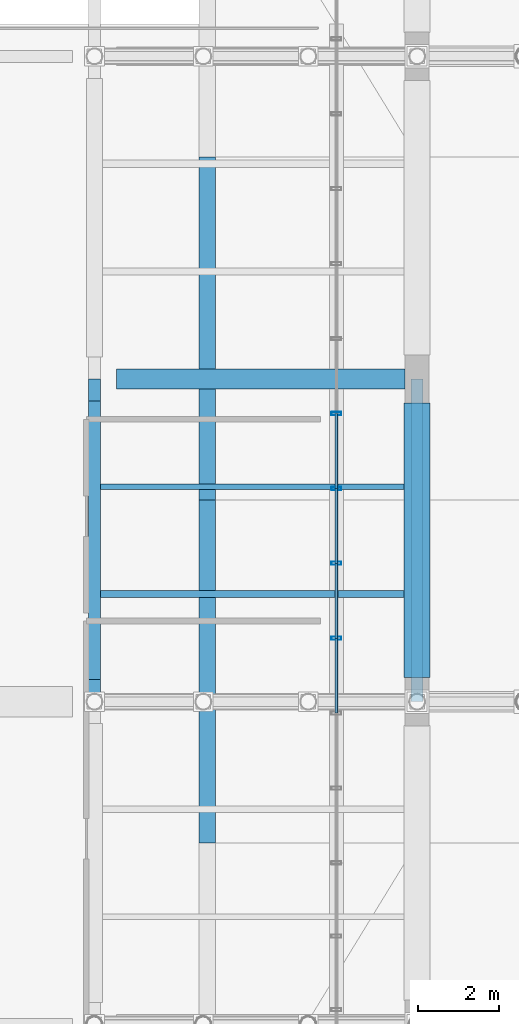
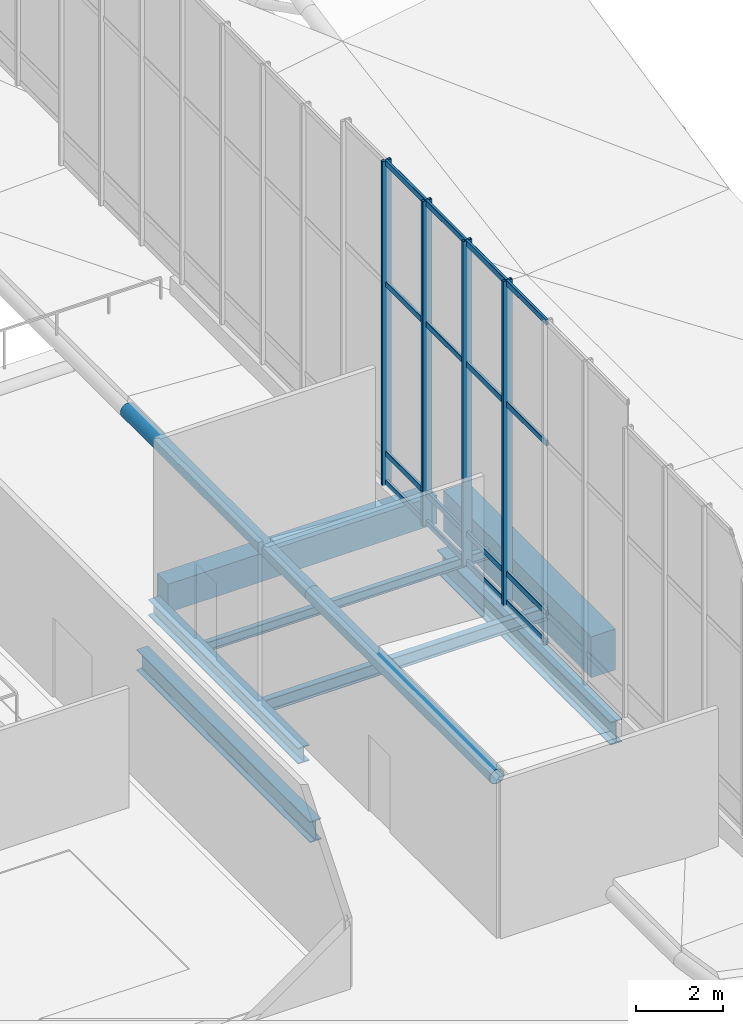
# One storey, part 82 of 137: 22 members, 7 beams, 1 element without a shape of its own.
"""IFC4 building model written with IfcOpenShell, lengths in metres."""

import ifcopenshell
import ifcopenshell.guid

model = None  # the IFC model being written
_history = None  # IfcOwnerHistory: only IFC2X3 demands one
_inside = {}  # id of a spatial element -> (the spatial element, [elements in it])
_under = {}  # id of a project, library or spatial element -> (it, [spatial elements below it])
_declared = {}  # id of a project -> (the project, [libraries it declares])
_typed = {}  # id of a type object -> (the type object, [elements of that type])
_made_of = {}  # id of a material, layer set ... -> (it, [elements and type objects made of it])


def new_model(schema):
    """Start an empty IFC model of exactly this schema.

    Asked for "IFC4X3", IfcOpenShell would pick the latest addendum, in which some entities
    have other attributes; the version numbers below select the first issue.
    IFC2X3 requires an IfcOwnerHistory on every rooted entity: one is made here for all.
    """
    global model, _history
    if schema == "IFC4X3":
        model = ifcopenshell.file(schema_version=(4, 3, 0, 0))
    else:
        model = ifcopenshell.file(schema=schema)
    _inside.clear()
    _under.clear()
    _declared.clear()
    _typed.clear()
    _made_of.clear()
    _history = None
    if model.schema == "IFC2X3":
        org = make("IfcOrganization", Name="unknown")
        user = make(
            "IfcPersonAndOrganization",
            ThePerson=make("IfcPerson", FamilyName="unknown"),
            TheOrganization=org,
        )
        app = make(
            "IfcApplication",
            ApplicationDeveloper=org,
            Version="unknown",
            ApplicationFullName="unknown",
            ApplicationIdentifier="unknown",
        )
        _history = make(
            "IfcOwnerHistory",
            OwningUser=user,
            OwningApplication=app,
            ChangeAction="ADDED",
            CreationDate=0,
        )
    return model


def make(cls, **values):
    """One entity of the class cls with the attributes given. An attribute that is None is left unset."""
    return model.create_entity(
        cls, **{name: value for name, value in values.items() if value is not None}
    )


def rooted(cls, **values):
    """An entity with a GlobalId (a new one), such as an element, a storey or a relation."""
    return make(cls, GlobalId=ifcopenshell.guid.new(), OwnerHistory=_history, **values)


def si_unit(unit_type, name, prefix=None):
    """IfcSIUnit, for example si_unit("LENGTHUNIT", "METRE", prefix="MILLI")."""
    return make("IfcSIUnit", UnitType=unit_type, Prefix=prefix, Name=name)


def assignment(units):
    """IfcUnitAssignment: the units of a project."""
    return None if units is None else make("IfcUnitAssignment", Units=units)


def point(xyz):
    """IfcCartesianPoint."""
    return None if xyz is None else make("IfcCartesianPoint", Coordinates=xyz)


def direction(xyz):
    """IfcDirection."""
    return None if xyz is None else make("IfcDirection", DirectionRatios=xyz)


def frame(location, z_axis=None, x_axis=None):
    """IfcAxis2Placement3D, a coordinate frame: its origin and axes. An axis left out is left unset."""
    return make(
        "IfcAxis2Placement3D",
        Location=point(location),
        Axis=direction(z_axis),
        RefDirection=direction(x_axis),
    )


def frame_2d(location, x_axis=None):
    """IfcAxis2Placement2D, a coordinate frame in the plane: its origin and x axis."""
    return make(
        "IfcAxis2Placement2D", Location=point(location), RefDirection=direction(x_axis)
    )


def origin():
    """The frame at (0, 0, 0) with its axes left unset."""
    return frame((0.0, 0.0, 0.0))


def origin_2d():
    """The frame at (0, 0) in the plane with its x axis left unset."""
    return frame_2d((0.0, 0.0))


def place(relative_to, where):
    """IfcLocalPlacement: puts the frame where relative to a parent placement (None: the world)."""
    return make(
        "IfcLocalPlacement", PlacementRelTo=relative_to, RelativePlacement=where
    )


def context(
    kind, dimensions, precision=None, world=None, true_north=None, identifier=None
):
    """IfcGeometricRepresentationContext, for example the 3D "Model" context."""
    return make(
        "IfcGeometricRepresentationContext",
        ContextIdentifier=identifier,
        ContextType=kind,
        CoordinateSpaceDimension=dimensions,
        Precision=precision,
        WorldCoordinateSystem=world,
        TrueNorth=true_north,
    )


def subcontext(parent, identifier, kind, view, scale=None):
    """IfcGeometricRepresentationSubContext, for example "Body" below "Model"."""
    return make(
        "IfcGeometricRepresentationSubContext",
        ContextIdentifier=identifier,
        ContextType=kind,
        ParentContext=parent,
        TargetScale=scale,
        TargetView=view,
    )


def project(units=None, contexts=None):
    """IfcProject with its units and contexts."""
    return rooted(
        "IfcProject",
        Name="project",
        RepresentationContexts=contexts,
        UnitsInContext=assignment(units),
    )


def spatial(cls, under=None, at=None, **own):
    """A site, building, storey or space (cls), placed at a placement, below another one or the project."""
    s = rooted(cls, ObjectPlacement=at, **own)
    if under is not None:
        _under.setdefault(under.id(), (under, []))[1].append(s)
    return s


def profile(cls, at=None, kind="AREA", **sizes):
    """A parametric profile (cls). Its sizes go by their IFC names, for example OverallWidth=200.0."""
    return make(cls, ProfileType=kind, Position=at, **sizes)


def rectangle(**sizes):
    """IfcRectangleProfileDef."""
    return profile("IfcRectangleProfileDef", **sizes)


def hollow_rectangle(**sizes):
    """IfcRectangleHollowProfileDef."""
    return profile("IfcRectangleHollowProfileDef", **sizes)


def hollow_circle(**sizes):
    """IfcCircleHollowProfileDef."""
    return profile("IfcCircleHollowProfileDef", **sizes)


def i_section(**sizes):
    """IfcIShapeProfileDef."""
    return profile("IfcIShapeProfileDef", **sizes)


def extrude(swept, where, along, depth):
    """IfcExtrudedAreaSolid: the profile swept, set in the frame where, extruded along a direction by depth."""
    return make(
        "IfcExtrudedAreaSolid",
        SweptArea=swept,
        Position=where,
        ExtrudedDirection=direction(along),
        Depth=depth,
    )


def shape(context_of_items, identifier, shape_type, items):
    """IfcShapeRepresentation: the items that make up one representation, for example the "Body"."""
    return make(
        "IfcShapeRepresentation",
        ContextOfItems=context_of_items,
        RepresentationIdentifier=identifier,
        RepresentationType=shape_type,
        Items=items,
    )


def material(Name=None, Category=None):
    """IfcMaterial."""
    return make("IfcMaterial", Name=Name, Category=Category)


def layer(
    of_material, thickness, ventilated=None, Name=None, Category=None, Priority=None
):
    """IfcMaterialLayer: one layer of a wall or slab, of a material (None: an air gap)."""
    return make(
        "IfcMaterialLayer",
        Material=of_material,
        LayerThickness=thickness,
        IsVentilated=ventilated,
        Name=Name,
        Category=Category,
        Priority=Priority,
    )


def layer_set(layers, Name=None):
    """IfcMaterialLayerSet."""
    return make("IfcMaterialLayerSet", MaterialLayers=layers, LayerSetName=Name)


def material_profile(
    of_material, cross_section, Name=None, Category=None, Priority=None
):
    """IfcMaterialProfile: a cross section and its material."""
    return make(
        "IfcMaterialProfile",
        Name=Name,
        Material=of_material,
        Profile=cross_section,
        Priority=Priority,
        Category=Category,
    )


def profile_set(profiles, Name=None, composite=None):
    """IfcMaterialProfileSet."""
    return make(
        "IfcMaterialProfileSet",
        Name=Name,
        MaterialProfiles=profiles,
        CompositeProfile=composite,
    )


def made_of(thing, what):
    """Note that an element or type object is made of a material, layer set ...; save() writes the relation."""
    if what is not None:
        _made_of.setdefault(what.id(), (what, []))[1].append(thing)
    return thing


def type_object(cls, material=None, **own):
    """A type object (cls), such as IfcWallType, which elements share."""
    return made_of(rooted(cls, **own), material)


def element(
    cls,
    number,
    at=None,
    inside=None,
    cuts=None,
    type_object=None,
    material=None,
    context=None,
    identifier="Body",
    shape_type=None,
    held_by="IfcProductDefinitionShape",
    body=None,
    shapes=None,
    **own,
):
    """One element of the class cls, such as IfcWall. Its Tag is "e" and its number.

    at: its placement. inside: the storey or other place that contains it. cuts: it is an
    opening in that element (IfcRelVoidsElement). A single representation is given by context,
    identifier, shape_type and body (its items); several are given by shapes. held_by: the class
    of the entity that holds the representations. save() writes the other relations.
    """
    e = rooted(cls, Tag="e%d" % number, ObjectPlacement=at, **own)
    if body is not None:
        shapes = [shape(context, identifier, shape_type, body)]
    if shapes is not None:
        e.Representation = make(held_by, Representations=shapes)
    if inside is not None:
        _inside.setdefault(inside.id(), (inside, []))[1].append(e)
    if cuts is not None:
        rooted(
            "IfcRelVoidsElement", RelatingBuildingElement=cuts, RelatedOpeningElement=e
        )
    if type_object is not None:
        _typed.setdefault(type_object.id(), (type_object, []))[1].append(e)
    return made_of(e, material)


def aggregate(whole, parts):
    """IfcRelAggregates: a whole, such as a stair, and the parts it consists of."""
    return rooted("IfcRelAggregates", RelatingObject=whole, RelatedObjects=parts)


def save(model, path):
    """Write the relations noted so far, then the file.

    IfcRelAggregates (storeys below a building ...), IfcRelContainedInSpatialStructure (elements
    in a storey), IfcRelDefinesByType, IfcRelAssociatesMaterial and IfcRelDeclares: one each for
    every whole, place, type object, material and project.
    """
    for whole, parts in _under.values():
        aggregate(whole, parts)
    for where, things in _inside.values():
        rooted(
            "IfcRelContainedInSpatialStructure",
            RelatedElements=things,
            RelatingStructure=where,
        )
    for kind, things in _typed.values():
        rooted("IfcRelDefinesByType", RelatedObjects=things, RelatingType=kind)
    for what, things in _made_of.values():
        rooted("IfcRelAssociatesMaterial", RelatedObjects=things, RelatingMaterial=what)
    for by, libraries in _declared.values():
        rooted("IfcRelDeclares", RelatingContext=by, RelatedDefinitions=libraries)
    model.write(path)


model = new_model("IFC4")

# Units and contexts
model_context = context("Model", 3, precision=1e-05, world=origin(), true_north=direction((0.0, 1.0)))
body_context = subcontext(model_context, "Body", "Model", "MODEL_VIEW")
ifc_project = project(units=[si_unit("LENGTHUNIT", "METRE"), si_unit("AREAUNIT", "SQUARE_METRE"), si_unit("VOLUMEUNIT", "CUBIC_METRE"), si_unit("PLANEANGLEUNIT", "RADIAN"), si_unit("MASSUNIT", "GRAM", prefix="KILO")], contexts=[model_context])

# Site, building, storey
site_placement = place(None, origin())
site = spatial("IfcSite", under=ifc_project, at=site_placement, CompositionType="ELEMENT")
building_placement = place(site_placement, origin())
building = spatial("IfcBuilding", under=site, at=building_placement, Name="Khorjan Park Terminus", CompositionType="ELEMENT")
storey_placement = place(building_placement, frame((0.0, 0.0, 11.4)))
storey = spatial("IfcBuildingStorey", under=building, at=storey_placement, Name="L02", CompositionType="ELEMENT", Elevation=11.4)

# Beams
ifc_material_1 = material(Name="Steel S355", Category="steel")
ifc_material_profile_1 = material_profile(ifc_material_1, i_section(OverallWidth=0.3, OverallDepth=0.59, WebThickness=0.013, FlangeThickness=0.025, FilletRadius=0.027, at=origin_2d()), Name="HEA 600")
ifc_profile_set_1 = profile_set([ifc_material_profile_1], Name="Steel S355")
beam_type_1 = type_object("IfcBeamType", Name="BM-HEA600", PredefinedType="BEAM", material=ifc_profile_set_1)
beam_1_placement = place(storey_placement, frame((128.0, 52.0, -2.395), z_axis=(0.0, 1.0, 0.0), x_axis=(-1.0, 0.0, 0.0)))
element("IfcBeam", 1, at=beam_1_placement, inside=storey, type_object=beam_type_1, Name="Lower shell truss support girder SB-A60 (Y50)", PredefinedType="BEAM", context=body_context, shape_type="SweptSolid", body=[
    extrude(i_section(OverallWidth=0.3, OverallDepth=0.59, WebThickness=0.013, FlangeThickness=0.025, FilletRadius=0.027, at=origin_2d()), origin(), (0.0, 0.0, 1.0), 8.0),
])
ifc_material_profile_2 = material_profile(ifc_material_1, i_section(OverallWidth=0.3, OverallDepth=0.45, WebThickness=0.014, FlangeThickness=0.026, FilletRadius=0.027, at=origin_2d()), Name="HEB 450")
ifc_profile_set_2 = profile_set([ifc_material_profile_2], Name="Steel S355")
beam_type_2 = type_object("IfcBeamType", Name="BM-HEB450", PredefinedType="BEAM", material=ifc_profile_set_2)
beam_2_placement = place(storey_placement, frame((128.0, 52.545, -0.585), z_axis=(0.0, 1.0, 0.0), x_axis=(-1.0, 0.0, 0.0)))
element("IfcBeam", 2, at=beam_2_placement, inside=storey, type_object=beam_type_2, Name="Primary floor girder SB-B45 (L02)", PredefinedType="BEAM", context=body_context, shape_type="SweptSolid", body=[
    extrude(i_section(OverallWidth=0.3, OverallDepth=0.45, WebThickness=0.014, FlangeThickness=0.026, FilletRadius=0.027, at=origin_2d()), origin(), (0.0, 0.0, 1.0), 6.91),
])
ifc_material_2 = material(Name="Concrete C40/50", Category="concrete")
ifc_material_profile_3 = material_profile(ifc_material_2, rectangle(XDim=0.5, YDim=0.8, at=origin_2d()), Name="RC 500x800")
ifc_profile_set_3 = profile_set([ifc_material_profile_3], Name="Concrete C40/50")
beam_type_3 = type_object("IfcBeamType", Name="BM-RC500x800", PredefinedType="BEAM", material=ifc_profile_set_3)
beam_3_placement = place(storey_placement, frame((128.545, 60.0, -0.76), z_axis=(1.0, 0.0, 0.0), x_axis=(0.0, 1.0, 0.0)))
element("IfcBeam", 3, at=beam_3_placement, inside=storey, type_object=beam_type_3, Name="Primary floor girder GB-08 (L02)", PredefinedType="BEAM", context=body_context, shape_type="SweptSolid", body=[
    extrude(rectangle(XDim=0.5, YDim=0.8, at=origin_2d()), origin(), (0.0, 0.0, 1.0), 7.16),
])
ifc_material_profile_4 = material_profile(ifc_material_1, i_section(OverallWidth=0.135, OverallDepth=0.27, WebThickness=0.0066, FlangeThickness=0.0102, FilletRadius=0.015, at=origin_2d()), Name="IPE 270")
ifc_profile_set_4 = profile_set([ifc_material_profile_4], Name="Steel S355")
beam_type_4 = type_object("IfcBeamType", Name="JS-IPE270", PredefinedType="JOIST", material=ifc_profile_set_4)
beam_4_placement = place(storey_placement, frame((128.15, 57.3333, -0.495), z_axis=(1.0, 0.0, 0.0), x_axis=(0.0, 1.0, 0.0)))
element("IfcBeam", 4, at=beam_4_placement, inside=storey, type_object=beam_type_4, Name="Secondary composite floor joist SJ-27 (L02)", PredefinedType="JOIST", context=body_context, shape_type="SweptSolid", body=[
    extrude(i_section(OverallWidth=0.135, OverallDepth=0.27, WebThickness=0.0066, FlangeThickness=0.0102, FilletRadius=0.015, at=origin_2d()), origin(), (0.0, 0.0, 1.0), 7.525),
])
ifc_material_profile_5 = material_profile(ifc_material_1, i_section(OverallWidth=0.17, OverallDepth=0.36, WebThickness=0.008, FlangeThickness=0.0127, FilletRadius=0.018, at=origin_2d()), Name="IPE 360")
ifc_profile_set_5 = profile_set([ifc_material_profile_5], Name="Steel S355")
beam_type_5 = type_object("IfcBeamType", Name="JS-IPE360", PredefinedType="JOIST", material=ifc_profile_set_5)
beam_5_placement = place(storey_placement, frame((128.15, 54.6667, -0.54), z_axis=(1.0, 0.0, 0.0), x_axis=(0.0, 1.0, 0.0)))
element("IfcBeam", 5, at=beam_5_placement, inside=storey, type_object=beam_type_5, Name="Secondary composite floor joist SJ-36 (L02)", PredefinedType="JOIST", context=body_context, shape_type="SweptSolid", body=[
    extrude(i_section(OverallWidth=0.17, OverallDepth=0.36, WebThickness=0.008, FlangeThickness=0.0127, FilletRadius=0.018, at=origin_2d()), origin(), (0.0, 0.0, 1.0), 7.525),
])

# Members
ifc_material_profile_6 = material_profile(ifc_material_1, hollow_circle(Radius=0.2032, WallThickness=0.016, at=origin_2d()), Name="CHS 406.4x16")
ifc_profile_set_6 = profile_set([ifc_material_profile_6], Name="Steel S355")
member_type_1 = type_object("IfcMemberType", Name="MB-CH-406", PredefinedType="CHORD", material=ifc_profile_set_6)
for number, where, z_axis, x_axis, name in (
    (6, (130.8, 48.5, 0.266), (0.0, 1.0, 0.0), (-1.0, 0.0, 0.0), "Lower wrapping shell rim chord (143)"),
    (7, (130.8, 57.0, 0.266), (0.0, 1.0, 0.0), (-1.0, 0.0, 0.0), "Lower wrapping shell rim chord (144)"),
):
    element("IfcMember", number, at=place(storey_placement, frame(where, z_axis=z_axis, x_axis=x_axis)), inside=storey, type_object=member_type_1, Name=name, PredefinedType="CHORD", context=body_context, shape_type="SweptSolid", body=[
        extrude(hollow_circle(Radius=0.2032, WallThickness=0.016, at=origin_2d()), origin(), (0.0, 0.0, 1.0), 8.5),
    ])

# Curtain wall, members
ifc_material_3 = material(Name="Anodized Bronze Aluminium", Category="aluminium")
ifc_layer = layer(ifc_material_3, 0.22)
ifc_layer_set = layer_set([ifc_layer], Name="Anodized Bronze Aluminium")
curtain_wall_type = type_object("IfcCurtainWallType", Name="CW-CONC-CLR", PredefinedType="NOTDEFINED", material=ifc_layer_set)
curtain_wall_placement = place(storey_placement, origin())
curtain_wall = element("IfcCurtainWall", 8, at=curtain_wall_placement, inside=storey, type_object=curtain_wall_type, Name="Unitized curtain wall CW-CL (CW-V2-E-CLR-02)", PredefinedType="NOTDEFINED")
ifc_material_profile_7 = material_profile(ifc_material_3, hollow_rectangle(XDim=0.08, YDim=0.25, WallThickness=0.005, InnerFilletRadius=0.005, OuterFilletRadius=0.01, at=origin_2d()), Name="ALM 80x250x5")
ifc_profile_set_7 = profile_set([ifc_material_profile_7], Name="Anodized Bronze Aluminium")
member_type_2 = type_object("IfcMemberType", Name="ML-ALM-250", PredefinedType="MULLION", material=ifc_profile_set_7)
member_1_placement = place(storey_placement, frame((134.0, 53.5714, 0.915), z_axis=(0.0, 0.0, 1.0), x_axis=(0.0, 1.0, 0.0)))
member_1 = element("IfcMember", 9, at=member_1_placement, type_object=member_type_2, Name="Curtain-wall mullion ML-25 (CW-V2-E-CLR-02-3)", PredefinedType="MULLION", context=body_context, shape_type="SweptSolid", body=[
    extrude(hollow_rectangle(XDim=0.08, YDim=0.25, WallThickness=0.005, InnerFilletRadius=0.005, OuterFilletRadius=0.01, at=origin_2d()), origin(), (0.0, 0.0, 1.0), 9.1348),
])
member_2_placement = place(storey_placement, frame((134.0, 55.4286, 0.915), z_axis=(0.0, 0.0, 1.0), x_axis=(0.0, 1.0, 0.0)))
member_2 = element("IfcMember", 10, at=member_2_placement, type_object=member_type_2, Name="Curtain-wall mullion ML-25 (CW-V2-E-CLR-02-4)", PredefinedType="MULLION", context=body_context, shape_type="SweptSolid", body=[
    extrude(hollow_rectangle(XDim=0.08, YDim=0.25, WallThickness=0.005, InnerFilletRadius=0.005, OuterFilletRadius=0.01, at=origin_2d()), origin(), (0.0, 0.0, 1.0), 9.1348),
])
member_3_placement = place(storey_placement, frame((134.0, 57.2857, 0.915), z_axis=(0.0, 0.0, 1.0), x_axis=(0.0, 1.0, 0.0)))
member_3 = element("IfcMember", 11, at=member_3_placement, type_object=member_type_2, Name="Curtain-wall mullion ML-25 (CW-V2-E-CLR-02-5)", PredefinedType="MULLION", context=body_context, shape_type="SweptSolid", body=[
    extrude(hollow_rectangle(XDim=0.08, YDim=0.25, WallThickness=0.005, InnerFilletRadius=0.005, OuterFilletRadius=0.01, at=origin_2d()), origin(), (0.0, 0.0, 1.0), 9.1348),
])
member_4_placement = place(storey_placement, frame((134.0, 59.1429, 0.915), z_axis=(0.0, 0.0, 1.0), x_axis=(0.0, 1.0, 0.0)))
member_4 = element("IfcMember", 12, at=member_4_placement, type_object=member_type_2, Name="Curtain-wall mullion ML-25 (CW-V2-E-CLR-02-6)", PredefinedType="MULLION", context=body_context, shape_type="SweptSolid", body=[
    extrude(hollow_rectangle(XDim=0.08, YDim=0.25, WallThickness=0.005, InnerFilletRadius=0.005, OuterFilletRadius=0.01, at=origin_2d()), origin(), (0.0, 0.0, 1.0), 9.1348),
])

# Beams
ifc_material_profile_8 = material_profile(ifc_material_1, i_section(OverallWidth=0.3, OverallDepth=0.65, WebThickness=0.016, FlangeThickness=0.031, FilletRadius=0.027, at=origin_2d()), Name="HEB 650")
ifc_profile_set_8 = profile_set([ifc_material_profile_8], Name="Steel S355")
beam_type_6 = type_object("IfcBeamType", Name="SP-HEB650E", PredefinedType="SPANDREL", material=ifc_profile_set_8)
beam_6_placement = place(storey_placement, frame((136.0, 52.0, -2.425), z_axis=(0.0, 1.0, 0.0), x_axis=(-1.0, 0.0, 0.0)))
element("IfcBeam", 13, at=beam_6_placement, inside=storey, type_object=beam_type_6, Name="Lower shell truss support girder SP-E65 (Y42)", PredefinedType="SPANDREL", context=body_context, shape_type="SweptSolid", body=[
    extrude(i_section(OverallWidth=0.3, OverallDepth=0.65, WebThickness=0.016, FlangeThickness=0.031, FilletRadius=0.027, at=origin_2d()), origin(), (0.0, 0.0, 1.0), 8.0),
])
ifc_material_4 = material(Name="Concrete C50/60", Category="concrete")
ifc_material_profile_9 = material_profile(ifc_material_4, rectangle(XDim=0.65, YDim=1.15, at=origin_2d()), Name="RC 650x1150")
ifc_profile_set_9 = profile_set([ifc_material_profile_9], Name="Concrete C50/60")
beam_type_7 = type_object("IfcBeamType", Name="SP-RC650x1150", PredefinedType="SPANDREL", material=ifc_profile_set_9)
beam_7_placement = place(storey_placement, frame((136.0, 52.595, -0.575), z_axis=(0.0, 1.0, 0.0), x_axis=(-1.0, 0.0, 0.0)))
element("IfcBeam", 14, at=beam_7_placement, inside=storey, type_object=beam_type_7, Name="Concourse lower colonnade ring beam SP-11 (L02-66)", PredefinedType="SPANDREL", context=body_context, shape_type="SweptSolid", body=[
    extrude(rectangle(XDim=0.65, YDim=1.15, at=origin_2d()), origin(), (0.0, 0.0, 1.0), 6.81),
])

# Member
ifc_material_profile_10 = material_profile(ifc_material_3, hollow_rectangle(XDim=0.07, YDim=0.16, WallThickness=0.004, InnerFilletRadius=0.004, OuterFilletRadius=0.008, at=origin_2d()), Name="ALT 70x160x4")
ifc_profile_set_10 = profile_set([ifc_material_profile_10], Name="Anodized Bronze Aluminium")
member_type_3 = type_object("IfcMemberType", Name="TR-ALT-160", PredefinedType="USERDEFINED", material=ifc_profile_set_10)
member_5_placement = place(storey_placement, frame((134.0, 51.7143, 0.99), z_axis=(0.0, 1.0, 0.0), x_axis=(-1.0, 0.0, 0.0)))
member_5 = element("IfcMember", 15, at=member_5_placement, type_object=member_type_3, Name="Curtain-wall transom TR-16 (CW-V2-E-CLR-02-2-1)", ObjectType="TRANSOM", PredefinedType="USERDEFINED", context=body_context, shape_type="SweptSolid", body=[
    extrude(hollow_rectangle(XDim=0.07, YDim=0.16, WallThickness=0.004, InnerFilletRadius=0.004, OuterFilletRadius=0.008, at=origin_2d()), origin(), (0.0, 0.0, 1.0), 1.8571),
])

member_6_placement = place(storey_placement, frame((134.0, 51.7143, 1.8), z_axis=(0.0, 1.0, 0.0), x_axis=(-1.0, 0.0, 0.0)))
member_6 = element("IfcMember", 16, at=member_6_placement, type_object=member_type_3, Name="Curtain-wall transom TR-16 (CW-V2-E-CLR-02-2-2)", ObjectType="TRANSOM", PredefinedType="USERDEFINED", context=body_context, shape_type="SweptSolid", body=[
    extrude(hollow_rectangle(XDim=0.07, YDim=0.16, WallThickness=0.004, InnerFilletRadius=0.004, OuterFilletRadius=0.008, at=origin_2d()), origin(), (0.0, 0.0, 1.0), 1.8571),
])

member_7_placement = place(storey_placement, frame((134.0, 51.7143, 6.5702), z_axis=(0.0, 1.0, 0.0), x_axis=(-1.0, 0.0, 0.0)))
member_7 = element("IfcMember", 17, at=member_7_placement, type_object=member_type_3, Name="Curtain-wall transom TR-16 (CW-V2-E-CLR-02-2-3)", ObjectType="TRANSOM", PredefinedType="USERDEFINED", context=body_context, shape_type="SweptSolid", body=[
    extrude(hollow_rectangle(XDim=0.07, YDim=0.16, WallThickness=0.004, InnerFilletRadius=0.004, OuterFilletRadius=0.008, at=origin_2d()), origin(), (0.0, 0.0, 1.0), 1.8571),
])

member_8_placement = place(storey_placement, frame((134.0, 51.7143, 9.9748), z_axis=(0.0, 1.0, 0.0), x_axis=(-1.0, 0.0, 0.0)))
member_8 = element("IfcMember", 18, at=member_8_placement, type_object=member_type_3, Name="Curtain-wall transom TR-16 (CW-V2-E-CLR-02-2-4)", ObjectType="TRANSOM", PredefinedType="USERDEFINED", context=body_context, shape_type="SweptSolid", body=[
    extrude(hollow_rectangle(XDim=0.07, YDim=0.16, WallThickness=0.004, InnerFilletRadius=0.004, OuterFilletRadius=0.008, at=origin_2d()), origin(), (0.0, 0.0, 1.0), 1.8571),
])

member_9_placement = place(storey_placement, frame((134.0, 53.5714, 0.99), z_axis=(0.0, 1.0, 0.0), x_axis=(-1.0, 0.0, 0.0)))
member_9 = element("IfcMember", 19, at=member_9_placement, type_object=member_type_3, Name="Curtain-wall transom TR-16 (CW-V2-E-CLR-02-3-1)", ObjectType="TRANSOM", PredefinedType="USERDEFINED", context=body_context, shape_type="SweptSolid", body=[
    extrude(hollow_rectangle(XDim=0.07, YDim=0.16, WallThickness=0.004, InnerFilletRadius=0.004, OuterFilletRadius=0.008, at=origin_2d()), origin(), (0.0, 0.0, 1.0), 1.8572),
])

member_10_placement = place(storey_placement, frame((134.0, 53.5714, 1.8), z_axis=(0.0, 1.0, 0.0), x_axis=(-1.0, 0.0, 0.0)))
member_10 = element("IfcMember", 20, at=member_10_placement, type_object=member_type_3, Name="Curtain-wall transom TR-16 (CW-V2-E-CLR-02-3-2)", ObjectType="TRANSOM", PredefinedType="USERDEFINED", context=body_context, shape_type="SweptSolid", body=[
    extrude(hollow_rectangle(XDim=0.07, YDim=0.16, WallThickness=0.004, InnerFilletRadius=0.004, OuterFilletRadius=0.008, at=origin_2d()), origin(), (0.0, 0.0, 1.0), 1.8572),
])

member_11_placement = place(storey_placement, frame((134.0, 53.5714, 6.5702), z_axis=(0.0, 1.0, 0.0), x_axis=(-1.0, 0.0, 0.0)))
member_11 = element("IfcMember", 21, at=member_11_placement, type_object=member_type_3, Name="Curtain-wall transom TR-16 (CW-V2-E-CLR-02-3-3)", ObjectType="TRANSOM", PredefinedType="USERDEFINED", context=body_context, shape_type="SweptSolid", body=[
    extrude(hollow_rectangle(XDim=0.07, YDim=0.16, WallThickness=0.004, InnerFilletRadius=0.004, OuterFilletRadius=0.008, at=origin_2d()), origin(), (0.0, 0.0, 1.0), 1.8572),
])

member_12_placement = place(storey_placement, frame((134.0, 53.5714, 9.9748), z_axis=(0.0, 1.0, 0.0), x_axis=(-1.0, 0.0, 0.0)))
member_12 = element("IfcMember", 22, at=member_12_placement, type_object=member_type_3, Name="Curtain-wall transom TR-16 (CW-V2-E-CLR-02-3-4)", ObjectType="TRANSOM", PredefinedType="USERDEFINED", context=body_context, shape_type="SweptSolid", body=[
    extrude(hollow_rectangle(XDim=0.07, YDim=0.16, WallThickness=0.004, InnerFilletRadius=0.004, OuterFilletRadius=0.008, at=origin_2d()), origin(), (0.0, 0.0, 1.0), 1.8572),
])

member_13_placement = place(storey_placement, frame((134.0, 55.4286, 0.99), z_axis=(0.0, 1.0, 0.0), x_axis=(-1.0, 0.0, 0.0)))
member_13 = element("IfcMember", 23, at=member_13_placement, type_object=member_type_3, Name="Curtain-wall transom TR-16 (CW-V2-E-CLR-02-4-1)", ObjectType="TRANSOM", PredefinedType="USERDEFINED", context=body_context, shape_type="SweptSolid", body=[
    extrude(hollow_rectangle(XDim=0.07, YDim=0.16, WallThickness=0.004, InnerFilletRadius=0.004, OuterFilletRadius=0.008, at=origin_2d()), origin(), (0.0, 0.0, 1.0), 1.8571),
])

member_14_placement = place(storey_placement, frame((134.0, 55.4286, 1.8), z_axis=(0.0, 1.0, 0.0), x_axis=(-1.0, 0.0, 0.0)))
member_14 = element("IfcMember", 24, at=member_14_placement, type_object=member_type_3, Name="Curtain-wall transom TR-16 (CW-V2-E-CLR-02-4-2)", ObjectType="TRANSOM", PredefinedType="USERDEFINED", context=body_context, shape_type="SweptSolid", body=[
    extrude(hollow_rectangle(XDim=0.07, YDim=0.16, WallThickness=0.004, InnerFilletRadius=0.004, OuterFilletRadius=0.008, at=origin_2d()), origin(), (0.0, 0.0, 1.0), 1.8571),
])

member_15_placement = place(storey_placement, frame((134.0, 55.4286, 6.5702), z_axis=(0.0, 1.0, 0.0), x_axis=(-1.0, 0.0, 0.0)))
member_15 = element("IfcMember", 25, at=member_15_placement, type_object=member_type_3, Name="Curtain-wall transom TR-16 (CW-V2-E-CLR-02-4-3)", ObjectType="TRANSOM", PredefinedType="USERDEFINED", context=body_context, shape_type="SweptSolid", body=[
    extrude(hollow_rectangle(XDim=0.07, YDim=0.16, WallThickness=0.004, InnerFilletRadius=0.004, OuterFilletRadius=0.008, at=origin_2d()), origin(), (0.0, 0.0, 1.0), 1.8571),
])

member_16_placement = place(storey_placement, frame((134.0, 55.4286, 9.9748), z_axis=(0.0, 1.0, 0.0), x_axis=(-1.0, 0.0, 0.0)))
member_16 = element("IfcMember", 26, at=member_16_placement, type_object=member_type_3, Name="Curtain-wall transom TR-16 (CW-V2-E-CLR-02-4-4)", ObjectType="TRANSOM", PredefinedType="USERDEFINED", context=body_context, shape_type="SweptSolid", body=[
    extrude(hollow_rectangle(XDim=0.07, YDim=0.16, WallThickness=0.004, InnerFilletRadius=0.004, OuterFilletRadius=0.008, at=origin_2d()), origin(), (0.0, 0.0, 1.0), 1.8571),
])

member_17_placement = place(storey_placement, frame((134.0, 57.2857, 0.99), z_axis=(0.0, 1.0, 0.0), x_axis=(-1.0, 0.0, 0.0)))
member_17 = element("IfcMember", 27, at=member_17_placement, type_object=member_type_3, Name="Curtain-wall transom TR-16 (CW-V2-E-CLR-02-5-1)", ObjectType="TRANSOM", PredefinedType="USERDEFINED", context=body_context, shape_type="SweptSolid", body=[
    extrude(hollow_rectangle(XDim=0.07, YDim=0.16, WallThickness=0.004, InnerFilletRadius=0.004, OuterFilletRadius=0.008, at=origin_2d()), origin(), (0.0, 0.0, 1.0), 1.8572),
])

member_18_placement = place(storey_placement, frame((134.0, 57.2857, 1.8), z_axis=(0.0, 1.0, 0.0), x_axis=(-1.0, 0.0, 0.0)))
member_18 = element("IfcMember", 28, at=member_18_placement, type_object=member_type_3, Name="Curtain-wall transom TR-16 (CW-V2-E-CLR-02-5-2)", ObjectType="TRANSOM", PredefinedType="USERDEFINED", context=body_context, shape_type="SweptSolid", body=[
    extrude(hollow_rectangle(XDim=0.07, YDim=0.16, WallThickness=0.004, InnerFilletRadius=0.004, OuterFilletRadius=0.008, at=origin_2d()), origin(), (0.0, 0.0, 1.0), 1.8572),
])

member_19_placement = place(storey_placement, frame((134.0, 57.2857, 6.5702), z_axis=(0.0, 1.0, 0.0), x_axis=(-1.0, 0.0, 0.0)))
member_19 = element("IfcMember", 29, at=member_19_placement, type_object=member_type_3, Name="Curtain-wall transom TR-16 (CW-V2-E-CLR-02-5-3)", ObjectType="TRANSOM", PredefinedType="USERDEFINED", context=body_context, shape_type="SweptSolid", body=[
    extrude(hollow_rectangle(XDim=0.07, YDim=0.16, WallThickness=0.004, InnerFilletRadius=0.004, OuterFilletRadius=0.008, at=origin_2d()), origin(), (0.0, 0.0, 1.0), 1.8572),
])

member_20_placement = place(storey_placement, frame((134.0, 57.2857, 9.9748), z_axis=(0.0, 1.0, 0.0), x_axis=(-1.0, 0.0, 0.0)))
member_20 = element("IfcMember", 30, at=member_20_placement, type_object=member_type_3, Name="Curtain-wall transom TR-16 (CW-V2-E-CLR-02-5-4)", ObjectType="TRANSOM", PredefinedType="USERDEFINED", context=body_context, shape_type="SweptSolid", body=[
    extrude(hollow_rectangle(XDim=0.07, YDim=0.16, WallThickness=0.004, InnerFilletRadius=0.004, OuterFilletRadius=0.008, at=origin_2d()), origin(), (0.0, 0.0, 1.0), 1.8572),
])

aggregate(curtain_wall, [member_1, member_2, member_3, member_4, member_5, member_6, member_7, member_8, member_9, member_10, member_11, member_12, member_13, member_14, member_15, member_16, member_17, member_18, member_19, member_20])

save(model, "model.ifc")
